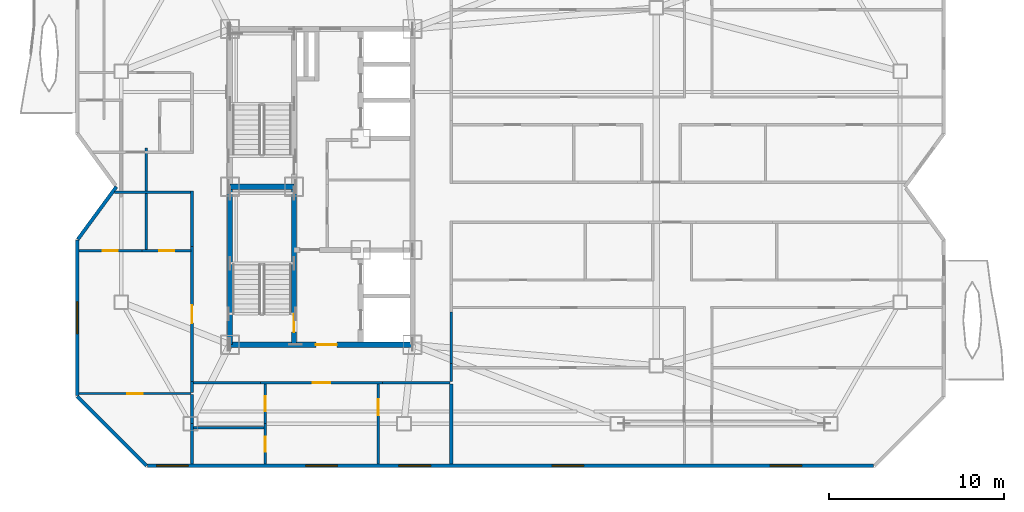
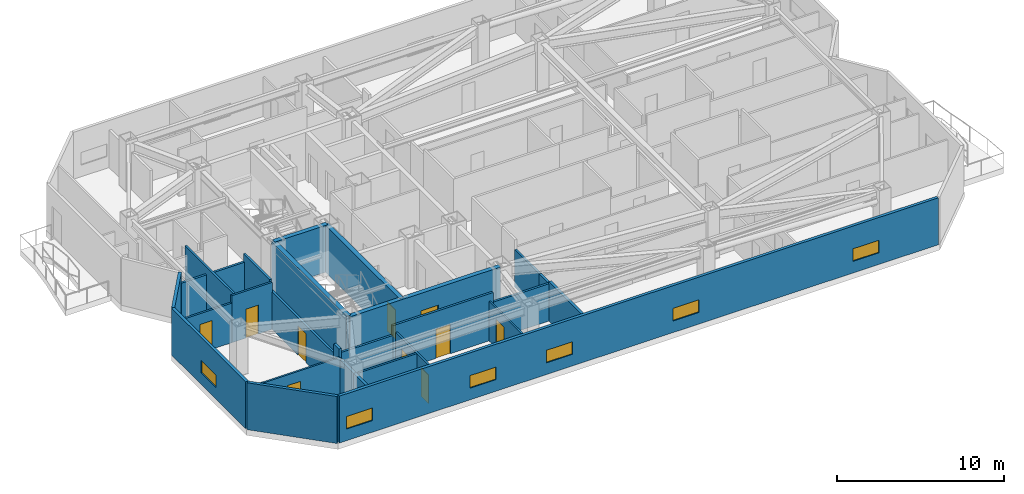
# One storey, part 4 of 10: 28 walls, 10 doors, 6 windows, 16 openings.
"""IFC4 building model written with IfcOpenShell, lengths in metres."""

from ifc_helpers import new_model, si_unit, direction, frame, frame_2d, origin, place, context, subcontext, project, spatial, rectangle, extrude, material, layer, layer_set, type_object, element, fill, save


model = new_model("IFC4")

# Units and contexts
model_context = context("Model", 3, precision=1e-05, world=origin(), true_north=direction((0.0, 1.0)))
body_context = subcontext(model_context, "Body", "Model", "MODEL_VIEW")
ifc_project = project(units=[si_unit("LENGTHUNIT", "METRE"), si_unit("AREAUNIT", "SQUARE_METRE"), si_unit("VOLUMEUNIT", "CUBIC_METRE"), si_unit("PLANEANGLEUNIT", "RADIAN"), si_unit("MASSUNIT", "GRAM", prefix="KILO")], contexts=[model_context])

# Site, building, storey
site_placement = place(None, origin())
site = spatial("IfcSite", under=ifc_project, at=site_placement, CompositionType="ELEMENT")
building_placement = place(site_placement, origin())
building = spatial("IfcBuilding", under=site, at=building_placement, Name="Khamvora Tower", CompositionType="ELEMENT")
storey_placement = place(building_placement, frame((0.0, 0.0, 217.199951171875)))
storey = spatial("IfcBuildingStorey", under=building, at=storey_placement, Name="L55", CompositionType="ELEMENT", Elevation=217.199951171875)

# Wall
ifc_material_1 = material(Name="Concrete C50/60", Category="concrete")
ifc_layer_1 = layer(ifc_material_1, 0.300048828125)
ifc_layer_set_1 = layer_set([ifc_layer_1], Name="Concrete C50/60")
wall_type_1 = type_object("IfcWallType", Name="WAL-CORE-300", PredefinedType="SHEAR", material=ifc_layer_set_1)
wall_1_placement = place(storey_placement, frame((29.0, 19.0, 0.0), z_axis=(0.0, 0.0, 1.0), x_axis=(0.0, 1.0, 0.0)))
element("IfcWall", 1, at=wall_1_placement, inside=storey, type_object=wall_type_1, Name="L55 central core west south wall", PredefinedType="SHEAR", context=body_context, shape_type="SweptSolid", body=[
    extrude(rectangle(XDim=9.0, YDim=0.300048828125, at=frame_2d((4.5, 0.0))), origin(), (0.0, 0.0, 1.0), 3.429931640625),
])

# Wall, opening, door
wall_2_placement = place(storey_placement, frame((29.0, 19.0, 0.0), z_axis=(0.0, 0.0, 1.0), x_axis=(1.0, 0.0, 0.0)))
wall_2 = element("IfcWall", 2, at=wall_2_placement, inside=storey, type_object=wall_type_1, Name="L55 central core south wall", PredefinedType="SHEAR", context=body_context, shape_type="SweptSolid", body=[
    extrude(rectangle(XDim=10.39990234375, YDim=0.300048828125, at=frame_2d((5.199951171875, 0.0))), origin(), (0.0, 0.0, 1.0), 3.429931640625),
])
opening_1_placement = place(wall_2_placement, frame((4.89990234375, 0.0, 0.0)))
opening_1 = element("IfcOpeningElement", 3, at=opening_1_placement, cuts=wall_2, Name="Opening D-CR1", PredefinedType="OPENING", context=body_context, shape_type="SweptSolid", body=[
    extrude(rectangle(XDim=1.199951171875, YDim=2.14990234375, at=frame_2d((0.60009765625, 1.074951171875))), frame((0.0, 0.159912109375, 0.0), z_axis=(0.0, -1.0, 0.0), x_axis=(1.0, 0.0, 0.0)), (0.0, 0.0, 1.0), 0.320068359375),
])
ifc_material_2 = material(Name="Powder-Coated Steel and Hardwood Leaf", Category="steel")
door_type_1 = type_object("IfcDoorType", Name="DOR-CORR-1200", OperationType="NOTDEFINED", PredefinedType="DOOR", material=ifc_material_2)
door_1_placement = place(opening_1_placement, origin())
door_1 = element("IfcDoor", 4, at=door_1_placement, inside=storey, type_object=door_type_1, Name="L55 south core lobby to corridor fire door", OperationType="SINGLE_SWING_LEFT", OverallHeight=2.14990234375, OverallWidth=1.199951171875, PredefinedType="DOOR", context=body_context, shape_type="SweptSolid", body=[
    extrude(rectangle(XDim=1.199951171875, YDim=2.14990234375, at=frame_2d((0.60009765625, 1.074951171875))), frame((0.0, 0.02490234375, 0.0), z_axis=(0.0, -1.0, 0.0), x_axis=(1.0, 0.0, 0.0)), (0.0, 0.0, 1.0), 0.050048828125),
])
fill(opening_1, door_1)

wall_3_placement = place(storey_placement, frame((32.64990234375, 19.0, 0.0), z_axis=(0.0, 0.0, 1.0), x_axis=(0.0, 1.0, 0.0)))
wall_3 = element("IfcWall", 5, at=wall_3_placement, inside=storey, type_object=wall_type_1, Name="L55 central core stair south spine wall", PredefinedType="SHEAR", context=body_context, shape_type="SweptSolid", body=[
    extrude(rectangle(XDim=9.0, YDim=0.300048828125, at=frame_2d((4.5, 0.0))), origin(), (0.0, 0.0, 1.0), 3.429931640625),
])
opening_2_placement = place(wall_3_placement, frame((0.719970703125, 0.0, 0.0)))
opening_2 = element("IfcOpeningElement", 6, at=opening_2_placement, cuts=wall_3, Name="Opening D-ST1", PredefinedType="OPENING", context=body_context, shape_type="SweptSolid", body=[
    extrude(rectangle(XDim=1.0, YDim=2.14990234375, at=frame_2d((0.5, 1.074951171875))), frame((0.0, 0.159912109375, 0.0), z_axis=(0.0, -1.0, 0.0), x_axis=(1.0, 0.0, 0.0)), (0.0, 0.0, 1.0), 0.320068359375),
])
door_type_2 = type_object("IfcDoorType", Name="DOR-STAIR-1000", OperationType="NOTDEFINED", PredefinedType="DOOR", material=ifc_material_2)
door_2_placement = place(opening_2_placement, origin())
door_2 = element("IfcDoor", 7, at=door_2_placement, inside=storey, type_object=door_type_2, Name="L55 exit stair ST-01 fire door", OperationType="SINGLE_SWING_RIGHT", OverallHeight=2.14990234375, OverallWidth=1.0, PredefinedType="DOOR", context=body_context, shape_type="SweptSolid", body=[
    extrude(rectangle(XDim=1.0, YDim=2.14990234375, at=frame_2d((0.5, 1.074951171875))), frame((0.0, 0.02490234375, 0.0), z_axis=(0.0, -1.0, 0.0), x_axis=(1.0, 0.0, 0.0)), (0.0, 0.0, 1.0), 0.050048828125),
])
fill(opening_2, door_2)

# Wall
wall_4_placement = place(storey_placement, frame((29.0, 28.0, 0.0), z_axis=(0.0, 0.0, 1.0), x_axis=(1.0, 0.0, 0.0)))
element("IfcWall", 8, at=wall_4_placement, inside=storey, type_object=wall_type_1, Name="L55 central core stair cross wall", PredefinedType="SHEAR", context=body_context, shape_type="SweptSolid", body=[
    extrude(rectangle(XDim=3.64990234375, YDim=0.300048828125, at=frame_2d((1.824951171875, 0.0))), origin(), (0.0, 0.0, 1.0), 3.429931640625),
])

# Wall, opening, door
ifc_material_3 = material(Name="Fire-Rated Drywall and Steel Stud", Category="steel")
ifc_layer_2 = layer(ifc_material_3, 0.14990234375)
ifc_layer_set_2 = layer_set([ifc_layer_2], Name="Fire-Rated Drywall and Steel Stud")
wall_type_2 = type_object("IfcWallType", Name="WAL-CORR-150", PredefinedType="STANDARD", material=ifc_layer_set_2)
wall_5_placement = place(storey_placement, frame((26.8349609375, 16.89990234375, 0.0), z_axis=(0.0, 0.0, 1.0), x_axis=(0.0, 1.0, 0.0)))
wall_5 = element("IfcWall", 9, at=wall_5_placement, inside=storey, type_object=wall_type_2, Name="L55 interior partition wall 005", PredefinedType="STANDARD", context=body_context, shape_type="SweptSolid", body=[
    extrude(rectangle(XDim=7.7080078125, YDim=0.14990234375, at=frame_2d((3.85400390625, 0.0))), origin(), (0.0, 0.0, 1.0), 2.72509765625),
])
opening_3_placement = place(wall_5_placement, frame((3.3330078125, 0.0, 0.0)))
opening_3 = element("IfcOpeningElement", 10, at=opening_3_placement, cuts=wall_5, Name="Opening D-U1", PredefinedType="OPENING", context=body_context, shape_type="SweptSolid", body=[
    extrude(rectangle(XDim=1.0, YDim=2.14990234375, at=frame_2d((0.5, 1.074951171875))), frame((0.0, 0.0849609375, 0.0), z_axis=(0.0, -1.0, 0.0), x_axis=(1.0, 0.0, 0.0)), (0.0, 0.0, 1.0), 0.169921875),
])
door_type_3 = type_object("IfcDoorType", Name="DOR-UNIT-1000", OperationType="NOTDEFINED", PredefinedType="DOOR", material=ifc_material_2)
door_3_placement = place(opening_3_placement, origin())
door_3 = element("IfcDoor", 11, at=door_3_placement, inside=storey, type_object=door_type_3, Name="L55 interior door COR-55WAH", OperationType="SINGLE_SWING_LEFT", OverallHeight=2.14990234375, OverallWidth=1.0, PredefinedType="DOOR", context=body_context, shape_type="SweptSolid", body=[
    extrude(rectangle(XDim=1.0, YDim=2.14990234375, at=frame_2d((0.5, 1.074951171875))), frame((0.0, 0.02490234375, 0.0), z_axis=(0.0, -1.0, 0.0), x_axis=(1.0, 0.0, 0.0)), (0.0, 0.0, 1.0), 0.050048828125),
])
fill(opening_3, door_3)

# Walls
wall_6_placement = place(storey_placement, frame((26.8349609375, 24.60791015625, 0.0), z_axis=(0.0, 0.0, 1.0), x_axis=(0.0, 1.0, 0.0)))
element("IfcWall", 12, at=wall_6_placement, inside=storey, type_object=wall_type_2, Name="L55 interior partition wall 006", PredefinedType="STANDARD", context=body_context, shape_type="SweptSolid", body=[
    extrude(rectangle(XDim=3.14208984375, YDim=0.14990234375, at=frame_2d((1.571044921875, 0.0))), origin(), (0.0, 0.0, 1.0), 3.429931640625),
])
wall_7_placement = place(storey_placement, frame((26.89794921875, 27.68505859375, 0.0), z_axis=(0.0, 0.0, 1.0), x_axis=(-1.0, 0.0, 0.0)))
element("IfcWall", 13, at=wall_7_placement, inside=storey, type_object=wall_type_2, Name="L55 interior partition wall 007", PredefinedType="STANDARD", context=body_context, shape_type="SweptSolid", body=[
    extrude(rectangle(XDim=4.490966796875, YDim=0.14990234375, at=frame_2d((2.24560546875, 0.0))), origin(), (0.0, 0.0, 1.0), 2.886962890625),
])

# Wall, opening, door
wall_8_placement = place(storey_placement, frame((37.698974609375, 16.8349609375, 0.0), z_axis=(0.0, 0.0, 1.0), x_axis=(-1.0, 0.0, 0.0)))
wall_8 = element("IfcWall", 14, at=wall_8_placement, inside=storey, type_object=wall_type_2, Name="L55 interior partition wall 012", PredefinedType="STANDARD", context=body_context, shape_type="SweptSolid", body=[
    extrude(rectangle(XDim=6.947998046875, YDim=0.14990234375, at=frame_2d((3.47412109375, 0.0))), origin(), (0.0, 0.0, 1.0), 3.429931640625),
])
opening_4_placement = place(wall_8_placement, frame((2.97412109375, 0.0, 0.0)))
opening_4 = element("IfcOpeningElement", 15, at=opening_4_placement, cuts=wall_8, Name="Opening D-U1", PredefinedType="OPENING", context=body_context, shape_type="SweptSolid", body=[
    extrude(rectangle(XDim=1.0, YDim=2.14990234375, at=frame_2d((0.5, 1.074951171875))), frame((0.0, 0.0849609375, 0.0), z_axis=(0.0, -1.0, 0.0), x_axis=(1.0, 0.0, 0.0)), (0.0, 0.0, 1.0), 0.169921875),
])
door_4_placement = place(opening_4_placement, origin())
door_4 = element("IfcDoor", 16, at=door_4_placement, inside=storey, type_object=door_type_3, Name="L55 interior door COR-55SAH", OperationType="SINGLE_SWING_RIGHT", OverallHeight=2.14990234375, OverallWidth=1.0, PredefinedType="DOOR", context=body_context, shape_type="SweptSolid", body=[
    extrude(rectangle(XDim=1.0, YDim=2.14990234375, at=frame_2d((0.5, 1.074951171875))), frame((0.0, 0.02490234375, 0.0), z_axis=(0.0, -1.0, 0.0), x_axis=(1.0, 0.0, 0.0)), (0.0, 0.0, 1.0), 0.050048828125),
])
fill(opening_4, door_4)

# Walls
for number, where, z_axis, x_axis, name in (
    (17, (30.7509765625, 16.8349609375, 0.0), (0.0, 0.0, 1.0), (-1.0, 0.0, 0.0), "L55 interior partition wall 013"),
    (18, (41.550048828125, 16.8349609375, 0.0), (0.0, 0.0, 1.0), (-1.0, 0.0, 0.0), "L55 interior partition wall 014"),
):
    element("IfcWall", number, at=place(storey_placement, frame(where, z_axis=z_axis, x_axis=x_axis)), inside=storey, type_object=wall_type_2, Name=name, PredefinedType="STANDARD", context=body_context, shape_type="SweptSolid", body=[
        extrude(rectangle(XDim=3.85107421875, YDim=0.14990234375, at=frame_2d((1.925537109375, 0.0))), origin(), (0.0, 0.0, 1.0), 2.72509765625),
    ])
wall_9_placement = place(storey_placement, frame((41.614990234375, 17.93505859375, 0.0), z_axis=(0.0, 0.0, 1.0), x_axis=(0.0, -1.0, 0.0)))
element("IfcWall", 19, at=wall_9_placement, inside=storey, type_object=wall_type_2, Name="L55 interior partition wall 025", PredefinedType="STANDARD", context=body_context, shape_type="SweptSolid", body=[
    extrude(rectangle(XDim=1.03515625, YDim=0.14990234375, at=frame_2d((0.517578125, 0.0))), origin(), (0.0, 0.0, 1.0), 2.72509765625),
])
wall_10_placement = place(storey_placement, frame((41.614990234375, 20.860107421875, 0.0), z_axis=(0.0, 0.0, 1.0), x_axis=(0.0, -1.0, 0.0)))
element("IfcWall", 20, at=wall_10_placement, inside=storey, type_object=wall_type_2, Name="L55 interior partition wall 026", PredefinedType="STANDARD", context=body_context, shape_type="SweptSolid", body=[
    extrude(rectangle(XDim=2.925048828125, YDim=0.14990234375, at=frame_2d((1.46240234375, 0.0))), origin(), (0.0, 0.0, 1.0), 2.72509765625),
])
ifc_material_4 = material(Name="Acoustic Double-Stud Fire Wall", Category="gypsum")
ifc_layer_3 = layer(ifc_material_4, 0.179931640625)
ifc_layer_set_3 = layer_set([ifc_layer_3], Name="Acoustic Double-Stud Fire Wall")
wall_type_3 = type_object("IfcWallType", Name="WAL-CORR-180", PredefinedType="STANDARD", material=ifc_layer_set_3)
wall_11_placement = place(storey_placement, frame((26.8349609375, 16.89990234375, 0.0), z_axis=(0.0, 0.0, 1.0), x_axis=(0.0, -1.0, 0.0)))
element("IfcWall", 21, at=wall_11_placement, inside=storey, type_object=wall_type_3, Name="L55 interior partition wall 039", PredefinedType="STANDARD", context=body_context, shape_type="SweptSolid", body=[
    extrude(rectangle(XDim=0.625, YDim=0.179931640625, at=frame_2d((0.3125, 0.0))), origin(), (0.0, 0.0, 1.0), 3.429931640625),
])
wall_12_placement = place(storey_placement, frame((26.8349609375, 14.509033203125, 0.0), z_axis=(0.0, 0.0, 1.0), x_axis=(0.0, -1.0, 0.0)))
element("IfcWall", 22, at=wall_12_placement, inside=storey, type_object=wall_type_3, Name="L55 interior partition wall 041", PredefinedType="STANDARD", context=body_context, shape_type="SweptSolid", body=[
    extrude(rectangle(XDim=2.317138671875, YDim=0.179931640625, at=frame_2d((1.15869140625, 0.0))), origin(), (0.0, 0.0, 1.0), 2.72509765625),
])
wall_13_placement = place(storey_placement, frame((26.8349609375, 16.14501953125, 0.0), z_axis=(0.0, 0.0, 1.0), x_axis=(0.0, -1.0, 0.0)))
element("IfcWall", 23, at=wall_13_placement, inside=storey, type_object=wall_type_3, Name="L55 interior partition wall 042", PredefinedType="STANDARD", context=body_context, shape_type="SweptSolid", body=[
    extrude(rectangle(XDim=1.635986328125, YDim=0.179931640625, at=frame_2d((0.81787109375, 0.0))), origin(), (0.0, 0.0, 1.0), 2.72509765625),
])
wall_14_placement = place(storey_placement, frame((41.614990234375, 16.77001953125, 0.0), z_axis=(0.0, 0.0, 1.0), x_axis=(0.0, -1.0, 0.0)))
element("IfcWall", 24, at=wall_14_placement, inside=storey, type_object=wall_type_3, Name="L55 interior partition wall 055", PredefinedType="STANDARD", context=body_context, shape_type="SweptSolid", body=[
    extrude(rectangle(XDim=4.578125, YDim=0.179931640625, at=frame_2d((2.2890625, 0.0))), origin(), (0.0, 0.0, 1.0), 2.886962890625),
])
ifc_material_5 = material(Name="Precast concrete C40/50", Category="concrete")
ifc_layer_4 = layer(ifc_material_5, 0.199951171875)
ifc_layer_set_4 = layer_set([ifc_layer_4], Name="Precast concrete C40/50")
wall_type_4 = type_object("IfcWallType", Name="WAL-EXT-200", PredefinedType="STANDARD", material=ifc_layer_set_4)
wall_15_placement = place(storey_placement, frame((24.240966796875, 12.10009765625, 0.0), z_axis=(0.0, 0.0, 1.0), x_axis=(-0.707106781187, 0.707106781187, 0.0)))
element("IfcWall", 25, at=wall_15_placement, inside=storey, type_object=wall_type_4, Name="L55 exterior facade wall 01.1", PredefinedType="STANDARD", context=body_context, shape_type="SweptSolid", body=[
    extrude(rectangle(XDim=5.5732421875, YDim=0.199951171875, at=frame_2d((2.78662109375, 0.0))), origin(), (0.0, 0.0, 1.0), 3.429931640625),
])

# Wall, opening, window
wall_16_placement = place(storey_placement, frame((20.300048828125, 16.10400390625, 0.0), z_axis=(0.0, 0.0, 1.0), x_axis=(0.0, 1.0, 0.0)))
wall_16 = element("IfcWall", 26, at=wall_16_placement, inside=storey, type_object=wall_type_4, Name="L55 exterior facade wall 02.1", PredefinedType="STANDARD", context=body_context, shape_type="SweptSolid", body=[
    extrude(rectangle(XDim=8.863037109375, YDim=0.199951171875, at=frame_2d((4.431640625, 0.0))), origin(), (0.0, 0.0, 1.0), 3.429931640625),
])
opening_5_placement = place(wall_16_placement, frame((3.531005859375, 0.0, 0.85009765625)))
opening_5 = element("IfcOpeningElement", 27, at=opening_5_placement, cuts=wall_16, Name="Opening WN-09", PredefinedType="OPENING", context=body_context, shape_type="SweptSolid", body=[
    extrude(rectangle(XDim=1.800048828125, YDim=0.919921875, at=frame_2d((0.89990234375, 0.4599609375))), frame((0.0, 0.10986328125, 0.0), z_axis=(0.0, -1.0, 0.0), x_axis=(1.0, 0.0, 0.0)), (0.0, 0.0, 1.0), 0.219970703125),
])
ifc_material_6 = material(Name="Low-E Laminated Double Glazing", Category="glass")
window_type = type_object("IfcWindowType", Name="WIN-CLR-1800x920", PartitioningType="SINGLE_PANEL", PredefinedType="WINDOW", material=ifc_material_6)
window_1_placement = place(opening_5_placement, origin())
window_1 = element("IfcWindow", 28, at=window_1_placement, inside=storey, type_object=window_type, Name="L55 vision window 02.1.01", OverallHeight=0.919921875, OverallWidth=1.800048828125, PartitioningType="SINGLE_PANEL", PredefinedType="WINDOW", context=body_context, shape_type="SweptSolid", body=[
    extrude(rectangle(XDim=1.800048828125, YDim=0.919921875, at=frame_2d((0.89990234375, 0.4599609375))), frame((0.0, 0.030029296875, 0.0), z_axis=(0.0, -1.0, 0.0), x_axis=(1.0, 0.0, 0.0)), (0.0, 0.0, 1.0), 0.06005859375),
])
fill(opening_5, window_1)

# Wall
wall_17_placement = place(storey_placement, frame((20.3291015625, 25.007080078125, 0.0), z_axis=(0.0, 0.0, 1.0), x_axis=(0.591366515379, 0.806402904564, 0.0)))
element("IfcWall", 29, at=wall_17_placement, inside=storey, type_object=wall_type_4, Name="L55 exterior facade wall 03.1", PredefinedType="STANDARD", context=body_context, shape_type="SweptSolid", body=[
    extrude(rectangle(XDim=3.71142578125, YDim=0.199951171875, at=frame_2d((1.855712890625, 0.0))), origin(), (0.0, 0.0, 1.0), 3.429931640625),
])

# Wall, openings, windows
wall_18_placement = place(storey_placement, frame((65.696044921875, 12.10009765625, 0.0), z_axis=(0.0, 0.0, 1.0), x_axis=(-1.0, 0.0, 0.0)))
wall_18 = element("IfcWall", 30, at=wall_18_placement, inside=storey, type_object=wall_type_4, Name="L55 exterior facade wall 14.1", PredefinedType="STANDARD", context=body_context, shape_type="SweptSolid", body=[
    extrude(rectangle(XDim=41.39306640625, YDim=0.199951171875, at=frame_2d((20.696533203125, 0.0))), origin(), (0.0, 0.0, 1.0), 3.429931640625),
])
opening_6_placement = place(wall_18_placement, frame((39.0849609375, 0.0, 0.85009765625)))
opening_6 = element("IfcOpeningElement", 31, at=opening_6_placement, cuts=wall_18, Name="Opening WN-09", PredefinedType="OPENING", context=body_context, shape_type="SweptSolid", body=[
    extrude(rectangle(XDim=1.800048828125, YDim=0.919921875, at=frame_2d((0.89990234375, 0.4599609375))), frame((0.0, 0.10986328125, 0.0), z_axis=(0.0, -1.0, 0.0), x_axis=(1.0, 0.0, 0.0)), (0.0, 0.0, 1.0), 0.219970703125),
])
opening_7_placement = place(wall_18_placement, frame((30.571044921875, 0.0, 0.85009765625)))
opening_7 = element("IfcOpeningElement", 32, at=opening_7_placement, cuts=wall_18, Name="Opening WN-09", PredefinedType="OPENING", context=body_context, shape_type="SweptSolid", body=[
    extrude(rectangle(XDim=1.800048828125, YDim=0.919921875, at=frame_2d((0.89990234375, 0.4599609375))), frame((0.0, 0.10986328125, 0.0), z_axis=(0.0, -1.0, 0.0), x_axis=(1.0, 0.0, 0.0)), (0.0, 0.0, 1.0), 0.219970703125),
])
opening_8_placement = place(wall_18_placement, frame((25.263916015625, 0.0, 0.85009765625)))
opening_8 = element("IfcOpeningElement", 33, at=opening_8_placement, cuts=wall_18, Name="Opening WN-09", PredefinedType="OPENING", context=body_context, shape_type="SweptSolid", body=[
    extrude(rectangle(XDim=1.800048828125, YDim=0.919921875, at=frame_2d((0.89990234375, 0.4599609375))), frame((0.0, 0.10986328125, 0.0), z_axis=(0.0, -1.0, 0.0), x_axis=(1.0, 0.0, 0.0)), (0.0, 0.0, 1.0), 0.219970703125),
])
opening_9_placement = place(wall_18_placement, frame((16.5380859375, 0.0, 0.85009765625)))
opening_9 = element("IfcOpeningElement", 34, at=opening_9_placement, cuts=wall_18, Name="Opening WN-09", PredefinedType="OPENING", context=body_context, shape_type="SweptSolid", body=[
    extrude(rectangle(XDim=1.800048828125, YDim=0.919921875, at=frame_2d((0.89990234375, 0.4599609375))), frame((0.0, 0.10986328125, 0.0), z_axis=(0.0, -1.0, 0.0), x_axis=(1.0, 0.0, 0.0)), (0.0, 0.0, 1.0), 0.219970703125),
])
opening_10_placement = place(wall_18_placement, frame((4.10498046875, 0.0, 0.85009765625)))
opening_10 = element("IfcOpeningElement", 35, at=opening_10_placement, cuts=wall_18, Name="Opening WN-09", PredefinedType="OPENING", context=body_context, shape_type="SweptSolid", body=[
    extrude(rectangle(XDim=1.800048828125, YDim=0.919921875, at=frame_2d((0.89990234375, 0.4599609375))), frame((0.0, 0.10986328125, 0.0), z_axis=(0.0, -1.0, 0.0), x_axis=(1.0, 0.0, 0.0)), (0.0, 0.0, 1.0), 0.219970703125),
])
window_2_placement = place(opening_6_placement, origin())
window_2 = element("IfcWindow", 36, at=window_2_placement, inside=storey, type_object=window_type, Name="L55 vision window 14.1.01", OverallHeight=0.919921875, OverallWidth=1.800048828125, PartitioningType="SINGLE_PANEL", PredefinedType="WINDOW", context=body_context, shape_type="SweptSolid", body=[
    extrude(rectangle(XDim=1.800048828125, YDim=0.919921875, at=frame_2d((0.89990234375, 0.4599609375))), frame((0.0, 0.030029296875, 0.0), z_axis=(0.0, -1.0, 0.0), x_axis=(1.0, 0.0, 0.0)), (0.0, 0.0, 1.0), 0.06005859375),
])
fill(opening_6, window_2)
window_3_placement = place(opening_7_placement, origin())
window_3 = element("IfcWindow", 37, at=window_3_placement, inside=storey, type_object=window_type, Name="L55 vision window 14.1.02", OverallHeight=0.919921875, OverallWidth=1.800048828125, PartitioningType="SINGLE_PANEL", PredefinedType="WINDOW", context=body_context, shape_type="SweptSolid", body=[
    extrude(rectangle(XDim=1.800048828125, YDim=0.919921875, at=frame_2d((0.89990234375, 0.4599609375))), frame((0.0, 0.030029296875, 0.0), z_axis=(0.0, -1.0, 0.0), x_axis=(1.0, 0.0, 0.0)), (0.0, 0.0, 1.0), 0.06005859375),
])
fill(opening_7, window_3)
window_4_placement = place(opening_8_placement, origin())
window_4 = element("IfcWindow", 38, at=window_4_placement, inside=storey, type_object=window_type, Name="L55 vision window 14.1.03", OverallHeight=0.919921875, OverallWidth=1.800048828125, PartitioningType="SINGLE_PANEL", PredefinedType="WINDOW", context=body_context, shape_type="SweptSolid", body=[
    extrude(rectangle(XDim=1.800048828125, YDim=0.919921875, at=frame_2d((0.89990234375, 0.4599609375))), frame((0.0, 0.030029296875, 0.0), z_axis=(0.0, -1.0, 0.0), x_axis=(1.0, 0.0, 0.0)), (0.0, 0.0, 1.0), 0.06005859375),
])
fill(opening_8, window_4)
window_5_placement = place(opening_9_placement, origin())
window_5 = element("IfcWindow", 39, at=window_5_placement, inside=storey, type_object=window_type, Name="L55 vision window 14.1.04", OverallHeight=0.919921875, OverallWidth=1.800048828125, PartitioningType="SINGLE_PANEL", PredefinedType="WINDOW", context=body_context, shape_type="SweptSolid", body=[
    extrude(rectangle(XDim=1.800048828125, YDim=0.919921875, at=frame_2d((0.89990234375, 0.4599609375))), frame((0.0, 0.030029296875, 0.0), z_axis=(0.0, -1.0, 0.0), x_axis=(1.0, 0.0, 0.0)), (0.0, 0.0, 1.0), 0.06005859375),
])
fill(opening_9, window_5)
window_6_placement = place(opening_10_placement, origin())
window_6 = element("IfcWindow", 40, at=window_6_placement, inside=storey, type_object=window_type, Name="L55 vision window 14.1.05", OverallHeight=0.919921875, OverallWidth=1.800048828125, PartitioningType="SINGLE_PANEL", PredefinedType="WINDOW", context=body_context, shape_type="SweptSolid", body=[
    extrude(rectangle(XDim=1.800048828125, YDim=0.919921875, at=frame_2d((0.89990234375, 0.4599609375))), frame((0.0, 0.030029296875, 0.0), z_axis=(0.0, -1.0, 0.0), x_axis=(1.0, 0.0, 0.0)), (0.0, 0.0, 1.0), 0.06005859375),
])
fill(opening_10, window_6)

# Wall, opening, door
ifc_material_7 = material(Name="Gypsum Plasterboard Partition", Category="gypsum")
ifc_layer_5 = layer(ifc_material_7, 0.1201171875)
ifc_layer_set_5 = layer_set([ifc_layer_5], Name="Gypsum Plasterboard Partition")
wall_type_5 = type_object("IfcWallType", Name="WAL-PART-120", PredefinedType="PARTITIONING", material=ifc_layer_set_5)
wall_19_placement = place(storey_placement, frame((26.77001953125, 16.2099609375, 0.0), z_axis=(0.0, 0.0, 1.0), x_axis=(-1.0, 0.0, 0.0)))
wall_19 = element("IfcWall", 41, at=wall_19_placement, inside=storey, type_object=wall_type_5, Name="L55 interior partition wall 038", PredefinedType="PARTITIONING", context=body_context, shape_type="SweptSolid", body=[
    extrude(rectangle(XDim=6.3779296875, YDim=0.1201171875, at=frame_2d((3.18896484375, 0.0))), origin(), (0.0, 0.0, 1.0), 2.886962890625),
])
opening_11_placement = place(wall_19_placement, frame((2.739013671875, 0.0, 0.0)))
opening_11 = element("IfcOpeningElement", 42, at=opening_11_placement, cuts=wall_19, Name="Opening D-RM1", PredefinedType="OPENING", context=body_context, shape_type="SweptSolid", body=[
    extrude(rectangle(XDim=0.89990234375, YDim=2.10009765625, at=frame_2d((0.449951171875, 1.050048828125))), frame((0.0, 0.070068359375, 0.0), z_axis=(0.0, -1.0, 0.0), x_axis=(1.0, 0.0, 0.0)), (0.0, 0.0, 1.0), 0.14013671875),
])
door_type_4 = type_object("IfcDoorType", Name="DOR-ROOM-900", OperationType="NOTDEFINED", PredefinedType="DOOR", material=ifc_material_2)
door_5_placement = place(opening_11_placement, origin())
door_5 = element("IfcDoor", 43, at=door_5_placement, inside=storey, type_object=door_type_4, Name="L55 interior door 55WAH-55WAR1", OperationType="SINGLE_SWING_LEFT", OverallHeight=2.10009765625, OverallWidth=0.89990234375, PredefinedType="DOOR", context=body_context, shape_type="SweptSolid", body=[
    extrude(rectangle(XDim=0.89990234375, YDim=2.10009765625, at=frame_2d((0.449951171875, 1.050048828125))), frame((0.0, 0.02490234375, 0.0), z_axis=(0.0, -1.0, 0.0), x_axis=(1.0, 0.0, 0.0)), (0.0, 0.0, 1.0), 0.050048828125),
])
fill(opening_11, door_5)

wall_20_placement = place(storey_placement, frame((37.449951171875, 16.77001953125, 0.0), z_axis=(0.0, 0.0, 1.0), x_axis=(0.0, -1.0, 0.0)))
wall_20 = element("IfcWall", 44, at=wall_20_placement, inside=storey, type_object=wall_type_5, Name="L55 interior partition wall 053", PredefinedType="PARTITIONING", context=body_context, shape_type="SweptSolid", body=[
    extrude(rectangle(XDim=4.578125, YDim=0.1201171875, at=frame_2d((2.2890625, 0.0))), origin(), (0.0, 0.0, 1.0), 2.886962890625),
])
opening_12_placement = place(wall_20_placement, frame((0.884033203125, 0.0, 0.0)))
opening_12 = element("IfcOpeningElement", 45, at=opening_12_placement, cuts=wall_20, Name="Opening D-RM1", PredefinedType="OPENING", context=body_context, shape_type="SweptSolid", body=[
    extrude(rectangle(XDim=0.89990234375, YDim=2.10009765625, at=frame_2d((0.449951171875, 1.050048828125))), frame((0.0, 0.070068359375, 0.0), z_axis=(0.0, -1.0, 0.0), x_axis=(1.0, 0.0, 0.0)), (0.0, 0.0, 1.0), 0.14013671875),
])
door_6_placement = place(opening_12_placement, origin())
door_6 = element("IfcDoor", 46, at=door_6_placement, inside=storey, type_object=door_type_4, Name="L55 interior door 55SAH-55SAR1", OperationType="SINGLE_SWING_RIGHT", OverallHeight=2.10009765625, OverallWidth=0.89990234375, PredefinedType="DOOR", context=body_context, shape_type="SweptSolid", body=[
    extrude(rectangle(XDim=0.89990234375, YDim=2.10009765625, at=frame_2d((0.449951171875, 1.050048828125))), frame((0.0, 0.02490234375, 0.0), z_axis=(0.0, -1.0, 0.0), x_axis=(1.0, 0.0, 0.0)), (0.0, 0.0, 1.0), 0.050048828125),
])
fill(opening_12, door_6)

ifc_material_8 = material(Name="Moisture-Resistant Plasterboard Partition", Category="gypsum")
ifc_layer_6 = layer(ifc_material_8, 0.135009765625)
ifc_layer_set_6 = layer_set([ifc_layer_6], Name="Moisture-Resistant Plasterboard Partition")
wall_type_6 = type_object("IfcWallType", Name="WAL-WET-135", PredefinedType="PARTITIONING", material=ifc_layer_set_6)
wall_21_placement = place(storey_placement, frame((23.970947265625, 24.35888671875, 0.0), z_axis=(0.0, 0.0, 1.0), x_axis=(1.0, 0.0, 0.0)))
wall_21 = element("IfcWall", 47, at=wall_21_placement, inside=storey, type_object=wall_type_6, Name="L55 interior partition wall 036", PredefinedType="PARTITIONING", context=body_context, shape_type="SweptSolid", body=[
    extrude(rectangle(XDim=2.799072265625, YDim=0.135009765625, at=frame_2d((1.3994140625, 0.0))), origin(), (0.0, 0.0, 1.0), 3.429931640625),
])
opening_13_placement = place(wall_21_placement, frame((0.9951171875, 0.0, 0.0)))
opening_13 = element("IfcOpeningElement", 48, at=opening_13_placement, cuts=wall_21, Name="Opening D-WC1", PredefinedType="OPENING", context=body_context, shape_type="SweptSolid", body=[
    extrude(rectangle(XDim=0.85009765625, YDim=2.10009765625, at=frame_2d((0.425048828125, 1.050048828125))), frame((0.0, 0.077392578125, 0.0), z_axis=(0.0, -1.0, 0.0), x_axis=(1.0, 0.0, 0.0)), (0.0, 0.0, 1.0), 0.155029296875),
])
door_type_5 = type_object("IfcDoorType", Name="DOR-WET-850", OperationType="NOTDEFINED", PredefinedType="DOOR", material=ifc_material_2)
door_7_placement = place(opening_13_placement, origin())
door_7 = element("IfcDoor", 49, at=door_7_placement, inside=storey, type_object=door_type_5, Name="L55 interior door 55WAH-55WAB", OperationType="SINGLE_SWING_LEFT", OverallHeight=2.10009765625, OverallWidth=0.85009765625, PredefinedType="DOOR", context=body_context, shape_type="SweptSolid", body=[
    extrude(rectangle(XDim=0.85009765625, YDim=2.10009765625, at=frame_2d((0.425048828125, 1.050048828125))), frame((0.0, 0.02490234375, 0.0), z_axis=(0.0, -1.0, 0.0), x_axis=(1.0, 0.0, 0.0)), (0.0, 0.0, 1.0), 0.050048828125),
])
fill(opening_13, door_7)

wall_22_placement = place(storey_placement, frame((20.39208984375, 24.35888671875, 0.0), z_axis=(0.0, 0.0, 1.0), x_axis=(1.0, 0.0, 0.0)))
wall_22 = element("IfcWall", 50, at=wall_22_placement, inside=storey, type_object=wall_type_6, Name="L55 interior partition wall 037", PredefinedType="PARTITIONING", context=body_context, shape_type="SweptSolid", body=[
    extrude(rectangle(XDim=3.578857421875, YDim=0.135009765625, at=frame_2d((1.78955078125, 0.0))), origin(), (0.0, 0.0, 1.0), 2.886962890625),
])
opening_14_placement = place(wall_22_placement, frame((1.364990234375, 0.0, 0.0)))
opening_14 = element("IfcOpeningElement", 51, at=opening_14_placement, cuts=wall_22, Name="Opening D-RM2", PredefinedType="OPENING", context=body_context, shape_type="SweptSolid", body=[
    extrude(rectangle(XDim=0.85009765625, YDim=2.10009765625, at=frame_2d((0.425048828125, 1.050048828125))), frame((0.0, 0.077392578125, 0.0), z_axis=(0.0, -1.0, 0.0), x_axis=(1.0, 0.0, 0.0)), (0.0, 0.0, 1.0), 0.155029296875),
])
door_type_6 = type_object("IfcDoorType", Name="DOR-ROOM-850", OperationType="NOTDEFINED", PredefinedType="DOOR", material=ifc_material_2)
door_8_placement = place(opening_14_placement, origin())
door_8 = element("IfcDoor", 52, at=door_8_placement, inside=storey, type_object=door_type_6, Name="L55 interior door 55WAH-55WAK", OperationType="SINGLE_SWING_RIGHT", OverallHeight=2.10009765625, OverallWidth=0.85009765625, PredefinedType="DOOR", context=body_context, shape_type="SweptSolid", body=[
    extrude(rectangle(XDim=0.85009765625, YDim=2.10009765625, at=frame_2d((0.425048828125, 1.050048828125))), frame((0.0, 0.02490234375, 0.0), z_axis=(0.0, -1.0, 0.0), x_axis=(1.0, 0.0, 0.0)), (0.0, 0.0, 1.0), 0.050048828125),
])
fill(opening_14, door_8)

# Wall
wall_23_placement = place(storey_placement, frame((24.219970703125, 24.4208984375, 0.0), z_axis=(0.0, 0.0, 1.0), x_axis=(0.0, 1.0, 0.0)))
element("IfcWall", 53, at=wall_23_placement, inside=storey, type_object=wall_type_6, Name="L55 interior partition wall 040", PredefinedType="PARTITIONING", context=body_context, shape_type="SweptSolid", body=[
    extrude(rectangle(XDim=5.799072265625, YDim=0.135009765625, at=frame_2d((2.8994140625, 0.0))), origin(), (0.0, 0.0, 1.0), 3.429931640625),
])

# Wall, opening, door
wall_24_placement = place(storey_placement, frame((31.0, 12.19189453125, 0.0), z_axis=(0.0, 0.0, 1.0), x_axis=(0.0, 1.0, 0.0)))
wall_24 = element("IfcWall", 54, at=wall_24_placement, inside=storey, type_object=wall_type_6, Name="L55 interior partition wall 051", PredefinedType="PARTITIONING", context=body_context, shape_type="SweptSolid", body=[
    extrude(rectangle(XDim=2.317138671875, YDim=0.135009765625, at=frame_2d((1.15869140625, 0.0))), origin(), (0.0, 0.0, 1.0), 2.886962890625),
])
opening_15_placement = place(wall_24_placement, frame((0.7119140625, 0.0, 0.0)))
opening_15 = element("IfcOpeningElement", 55, at=opening_15_placement, cuts=wall_24, Name="Opening D-WC1", PredefinedType="OPENING", context=body_context, shape_type="SweptSolid", body=[
    extrude(rectangle(XDim=0.85009765625, YDim=2.10009765625, at=frame_2d((0.425048828125, 1.050048828125))), frame((0.0, 0.077392578125, 0.0), z_axis=(0.0, -1.0, 0.0), x_axis=(1.0, 0.0, 0.0)), (0.0, 0.0, 1.0), 0.155029296875),
])
door_9_placement = place(opening_15_placement, origin())
door_9 = element("IfcDoor", 56, at=door_9_placement, inside=storey, type_object=door_type_5, Name="L55 interior door 55SAH-55SAB", OperationType="SINGLE_SWING_LEFT", OverallHeight=2.10009765625, OverallWidth=0.85009765625, PredefinedType="DOOR", context=body_context, shape_type="SweptSolid", body=[
    extrude(rectangle(XDim=0.85009765625, YDim=2.10009765625, at=frame_2d((0.425048828125, 1.050048828125))), frame((0.0, 0.02490234375, 0.0), z_axis=(0.0, -1.0, 0.0), x_axis=(1.0, 0.0, 0.0)), (0.0, 0.0, 1.0), 0.050048828125),
])
fill(opening_15, door_9)

wall_25_placement = place(storey_placement, frame((31.0, 14.509033203125, 0.0), z_axis=(0.0, 0.0, 1.0), x_axis=(0.0, 1.0, 0.0)))
wall_25 = element("IfcWall", 57, at=wall_25_placement, inside=storey, type_object=wall_type_6, Name="L55 interior partition wall 052", PredefinedType="PARTITIONING", context=body_context, shape_type="SweptSolid", body=[
    extrude(rectangle(XDim=2.260986328125, YDim=0.135009765625, at=frame_2d((1.13037109375, 0.0))), origin(), (0.0, 0.0, 1.0), 2.886962890625),
])
opening_16_placement = place(wall_25_placement, frame((0.7060546875, 0.0, 0.0)))
opening_16 = element("IfcOpeningElement", 58, at=opening_16_placement, cuts=wall_25, Name="Opening D-RM2", PredefinedType="OPENING", context=body_context, shape_type="SweptSolid", body=[
    extrude(rectangle(XDim=0.85009765625, YDim=2.10009765625, at=frame_2d((0.425048828125, 1.050048828125))), frame((0.0, 0.077392578125, 0.0), z_axis=(0.0, -1.0, 0.0), x_axis=(1.0, 0.0, 0.0)), (0.0, 0.0, 1.0), 0.155029296875),
])
door_10_placement = place(opening_16_placement, origin())
door_10 = element("IfcDoor", 59, at=door_10_placement, inside=storey, type_object=door_type_6, Name="L55 interior door 55SAH-55SAK", OperationType="SINGLE_SWING_RIGHT", OverallHeight=2.10009765625, OverallWidth=0.85009765625, PredefinedType="DOOR", context=body_context, shape_type="SweptSolid", body=[
    extrude(rectangle(XDim=0.85009765625, YDim=2.10009765625, at=frame_2d((0.425048828125, 1.050048828125))), frame((0.0, 0.02490234375, 0.0), z_axis=(0.0, -1.0, 0.0), x_axis=(1.0, 0.0, 0.0)), (0.0, 0.0, 1.0), 0.050048828125),
])
fill(opening_16, door_10)

# Wall
wall_26_placement = place(storey_placement, frame((26.9169921875, 14.260009765625, 0.0), z_axis=(0.0, 0.0, 1.0), x_axis=(1.0, 0.0, 0.0)))
element("IfcWall", 60, at=wall_26_placement, inside=storey, type_object=wall_type_6, Name="L55 interior partition wall 054", PredefinedType="PARTITIONING", context=body_context, shape_type="SweptSolid", body=[
    extrude(rectangle(XDim=4.02197265625, YDim=0.135009765625, at=frame_2d((2.010986328125, 0.0))), origin(), (0.0, 0.0, 1.0), 2.886962890625),
])

save(model, "model.ifc")
